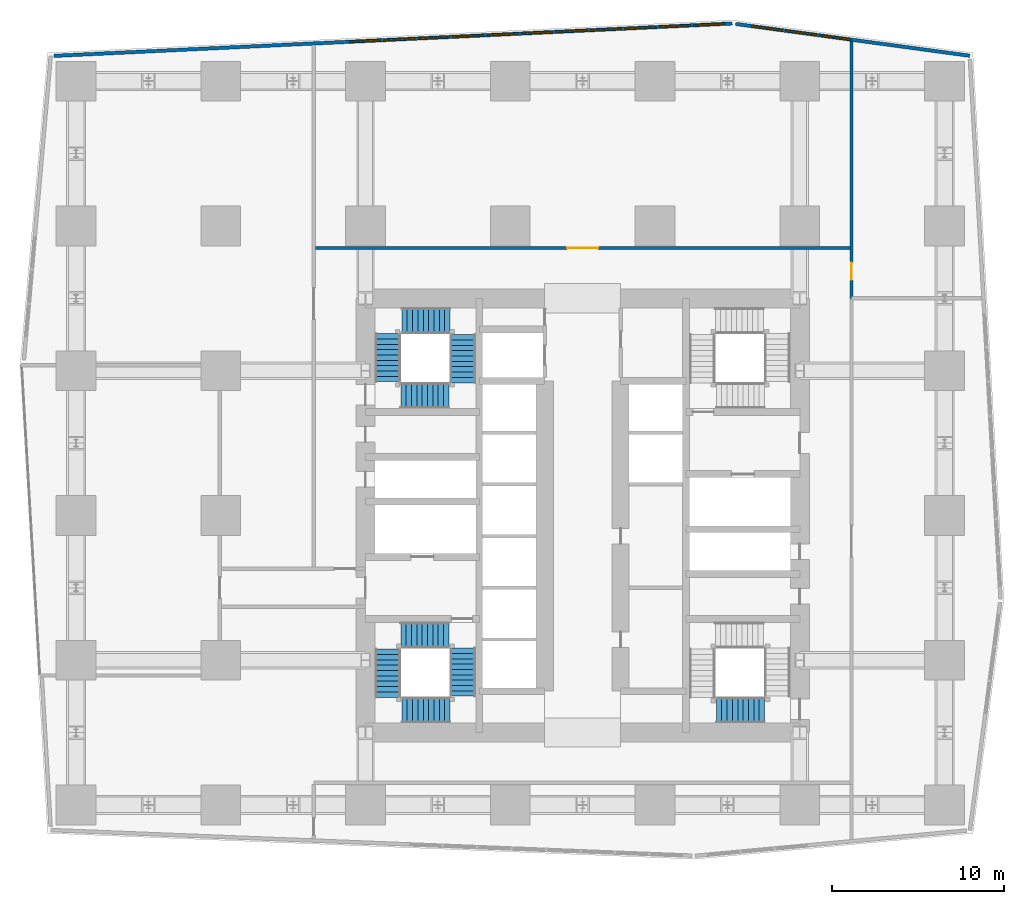
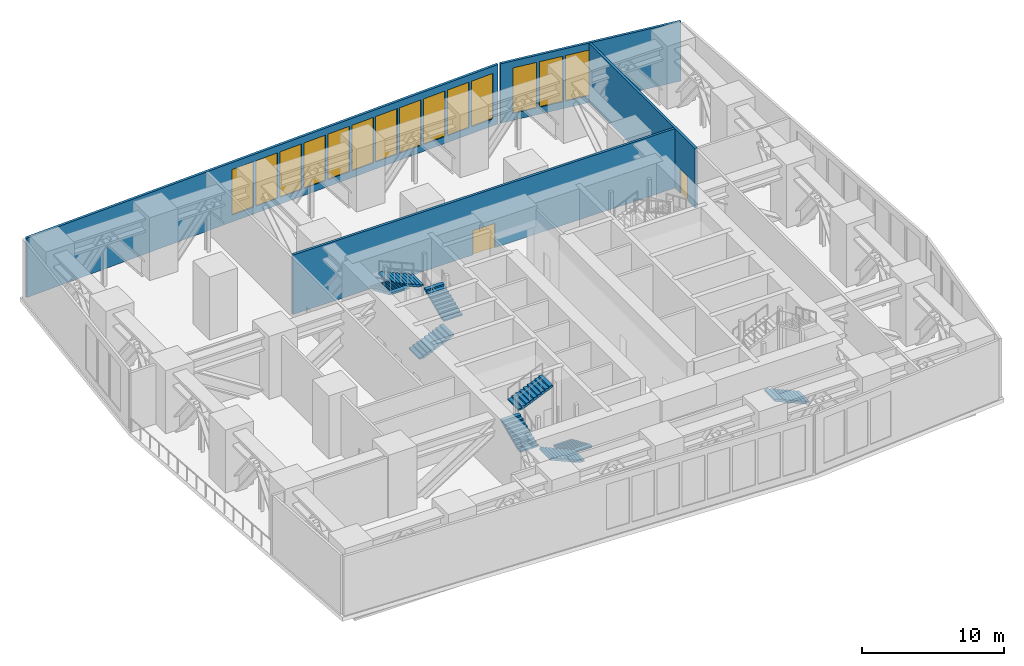
# One storey, part 11 of 16: 14 windows, 9 stair flights, 4 walls, 2 doors, 16 openings, 3 elements without a shape of their own.
"""IFC4 building model written with IfcOpenShell, lengths in metres."""

import ifcopenshell
import ifcopenshell.guid

model = None  # the IFC model being written
_history = None  # IfcOwnerHistory: only IFC2X3 demands one
_inside = {}  # id of a spatial element -> (the spatial element, [elements in it])
_under = {}  # id of a project, library or spatial element -> (it, [spatial elements below it])
_declared = {}  # id of a project -> (the project, [libraries it declares])
_typed = {}  # id of a type object -> (the type object, [elements of that type])
_made_of = {}  # id of a material, layer set ... -> (it, [elements and type objects made of it])


def new_model(schema):
    """Start an empty IFC model of exactly this schema.

    Asked for "IFC4X3", IfcOpenShell would pick the latest addendum, in which some entities
    have other attributes; the version numbers below select the first issue.
    IFC2X3 requires an IfcOwnerHistory on every rooted entity: one is made here for all.
    """
    global model, _history
    if schema == "IFC4X3":
        model = ifcopenshell.file(schema_version=(4, 3, 0, 0))
    else:
        model = ifcopenshell.file(schema=schema)
    _inside.clear()
    _under.clear()
    _declared.clear()
    _typed.clear()
    _made_of.clear()
    _history = None
    if model.schema == "IFC2X3":
        org = make("IfcOrganization", Name="unknown")
        user = make(
            "IfcPersonAndOrganization",
            ThePerson=make("IfcPerson", FamilyName="unknown"),
            TheOrganization=org,
        )
        app = make(
            "IfcApplication",
            ApplicationDeveloper=org,
            Version="unknown",
            ApplicationFullName="unknown",
            ApplicationIdentifier="unknown",
        )
        _history = make(
            "IfcOwnerHistory",
            OwningUser=user,
            OwningApplication=app,
            ChangeAction="ADDED",
            CreationDate=0,
        )
    return model


def make(cls, **values):
    """One entity of the class cls with the attributes given. An attribute that is None is left unset."""
    return model.create_entity(
        cls, **{name: value for name, value in values.items() if value is not None}
    )


def rooted(cls, **values):
    """An entity with a GlobalId (a new one), such as an element, a storey or a relation."""
    return make(cls, GlobalId=ifcopenshell.guid.new(), OwnerHistory=_history, **values)


def si_unit(unit_type, name, prefix=None):
    """IfcSIUnit, for example si_unit("LENGTHUNIT", "METRE", prefix="MILLI")."""
    return make("IfcSIUnit", UnitType=unit_type, Prefix=prefix, Name=name)


def assignment(units):
    """IfcUnitAssignment: the units of a project."""
    return None if units is None else make("IfcUnitAssignment", Units=units)


def point(xyz):
    """IfcCartesianPoint."""
    return None if xyz is None else make("IfcCartesianPoint", Coordinates=xyz)


def direction(xyz):
    """IfcDirection."""
    return None if xyz is None else make("IfcDirection", DirectionRatios=xyz)


def frame(location, z_axis=None, x_axis=None):
    """IfcAxis2Placement3D, a coordinate frame: its origin and axes. An axis left out is left unset."""
    return make(
        "IfcAxis2Placement3D",
        Location=point(location),
        Axis=direction(z_axis),
        RefDirection=direction(x_axis),
    )


def frame_2d(location, x_axis=None):
    """IfcAxis2Placement2D, a coordinate frame in the plane: its origin and x axis."""
    return make(
        "IfcAxis2Placement2D", Location=point(location), RefDirection=direction(x_axis)
    )


def origin():
    """The frame at (0, 0, 0) with its axes left unset."""
    return frame((0.0, 0.0, 0.0))


def place(relative_to, where):
    """IfcLocalPlacement: puts the frame where relative to a parent placement (None: the world)."""
    return make(
        "IfcLocalPlacement", PlacementRelTo=relative_to, RelativePlacement=where
    )


def context(
    kind, dimensions, precision=None, world=None, true_north=None, identifier=None
):
    """IfcGeometricRepresentationContext, for example the 3D "Model" context."""
    return make(
        "IfcGeometricRepresentationContext",
        ContextIdentifier=identifier,
        ContextType=kind,
        CoordinateSpaceDimension=dimensions,
        Precision=precision,
        WorldCoordinateSystem=world,
        TrueNorth=true_north,
    )


def subcontext(parent, identifier, kind, view, scale=None):
    """IfcGeometricRepresentationSubContext, for example "Body" below "Model"."""
    return make(
        "IfcGeometricRepresentationSubContext",
        ContextIdentifier=identifier,
        ContextType=kind,
        ParentContext=parent,
        TargetScale=scale,
        TargetView=view,
    )


def project(units=None, contexts=None):
    """IfcProject with its units and contexts."""
    return rooted(
        "IfcProject",
        Name="project",
        RepresentationContexts=contexts,
        UnitsInContext=assignment(units),
    )


def spatial(cls, under=None, at=None, **own):
    """A site, building, storey or space (cls), placed at a placement, below another one or the project."""
    s = rooted(cls, ObjectPlacement=at, **own)
    if under is not None:
        _under.setdefault(under.id(), (under, []))[1].append(s)
    return s


def polyline(points):
    """IfcPolyline through the points."""
    return make("IfcPolyline", Points=[point(p) for p in points])


def profile(cls, at=None, kind="AREA", **sizes):
    """A parametric profile (cls). Its sizes go by their IFC names, for example OverallWidth=200.0."""
    return make(cls, ProfileType=kind, Position=at, **sizes)


def rectangle(**sizes):
    """IfcRectangleProfileDef."""
    return profile("IfcRectangleProfileDef", **sizes)


def outline(outer, holes=None, kind="AREA"):
    """IfcArbitraryClosedProfileDef: a profile drawn as a closed curve; with holes, ...WithVoids."""
    if holes is None:
        return make("IfcArbitraryClosedProfileDef", ProfileType=kind, OuterCurve=outer)
    return make(
        "IfcArbitraryProfileDefWithVoids",
        ProfileType=kind,
        OuterCurve=outer,
        InnerCurves=holes,
    )


def extrude(swept, where, along, depth):
    """IfcExtrudedAreaSolid: the profile swept, set in the frame where, extruded along a direction by depth."""
    return make(
        "IfcExtrudedAreaSolid",
        SweptArea=swept,
        Position=where,
        ExtrudedDirection=direction(along),
        Depth=depth,
    )


def shape(context_of_items, identifier, shape_type, items):
    """IfcShapeRepresentation: the items that make up one representation, for example the "Body"."""
    return make(
        "IfcShapeRepresentation",
        ContextOfItems=context_of_items,
        RepresentationIdentifier=identifier,
        RepresentationType=shape_type,
        Items=items,
    )


def material(Name=None, Category=None):
    """IfcMaterial."""
    return make("IfcMaterial", Name=Name, Category=Category)


def layer(
    of_material, thickness, ventilated=None, Name=None, Category=None, Priority=None
):
    """IfcMaterialLayer: one layer of a wall or slab, of a material (None: an air gap)."""
    return make(
        "IfcMaterialLayer",
        Material=of_material,
        LayerThickness=thickness,
        IsVentilated=ventilated,
        Name=Name,
        Category=Category,
        Priority=Priority,
    )


def layer_set(layers, Name=None):
    """IfcMaterialLayerSet."""
    return make("IfcMaterialLayerSet", MaterialLayers=layers, LayerSetName=Name)


def made_of(thing, what):
    """Note that an element or type object is made of a material, layer set ...; save() writes the relation."""
    if what is not None:
        _made_of.setdefault(what.id(), (what, []))[1].append(thing)
    return thing


def type_object(cls, material=None, **own):
    """A type object (cls), such as IfcWallType, which elements share."""
    return made_of(rooted(cls, **own), material)


def element(
    cls,
    number,
    at=None,
    inside=None,
    cuts=None,
    type_object=None,
    material=None,
    context=None,
    identifier="Body",
    shape_type=None,
    held_by="IfcProductDefinitionShape",
    body=None,
    shapes=None,
    **own,
):
    """One element of the class cls, such as IfcWall. Its Tag is "e" and its number.

    at: its placement. inside: the storey or other place that contains it. cuts: it is an
    opening in that element (IfcRelVoidsElement). A single representation is given by context,
    identifier, shape_type and body (its items); several are given by shapes. held_by: the class
    of the entity that holds the representations. save() writes the other relations.
    """
    e = rooted(cls, Tag="e%d" % number, ObjectPlacement=at, **own)
    if body is not None:
        shapes = [shape(context, identifier, shape_type, body)]
    if shapes is not None:
        e.Representation = make(held_by, Representations=shapes)
    if inside is not None:
        _inside.setdefault(inside.id(), (inside, []))[1].append(e)
    if cuts is not None:
        rooted(
            "IfcRelVoidsElement", RelatingBuildingElement=cuts, RelatedOpeningElement=e
        )
    if type_object is not None:
        _typed.setdefault(type_object.id(), (type_object, []))[1].append(e)
    return made_of(e, material)


def fill(opening, filler):
    """IfcRelFillsElement: the door or window that sits in an opening."""
    return rooted(
        "IfcRelFillsElement",
        RelatingOpeningElement=opening,
        RelatedBuildingElement=filler,
    )


def aggregate(whole, parts):
    """IfcRelAggregates: a whole, such as a stair, and the parts it consists of."""
    return rooted("IfcRelAggregates", RelatingObject=whole, RelatedObjects=parts)


def save(model, path):
    """Write the relations noted so far, then the file.

    IfcRelAggregates (storeys below a building ...), IfcRelContainedInSpatialStructure (elements
    in a storey), IfcRelDefinesByType, IfcRelAssociatesMaterial and IfcRelDeclares: one each for
    every whole, place, type object, material and project.
    """
    for whole, parts in _under.values():
        aggregate(whole, parts)
    for where, things in _inside.values():
        rooted(
            "IfcRelContainedInSpatialStructure",
            RelatedElements=things,
            RelatingStructure=where,
        )
    for kind, things in _typed.values():
        rooted("IfcRelDefinesByType", RelatedObjects=things, RelatingType=kind)
    for what, things in _made_of.values():
        rooted("IfcRelAssociatesMaterial", RelatedObjects=things, RelatingMaterial=what)
    for by, libraries in _declared.values():
        rooted("IfcRelDeclares", RelatingContext=by, RelatedDefinitions=libraries)
    model.write(path)


model = new_model("IFC4")

# Units and contexts
model_context = context("Model", 3, precision=1e-05, world=origin(), true_north=direction((0.0, 1.0)))
body_context = subcontext(model_context, "Body", "Model", "MODEL_VIEW")
ifc_project = project(units=[si_unit("LENGTHUNIT", "METRE"), si_unit("AREAUNIT", "SQUARE_METRE"), si_unit("VOLUMEUNIT", "CUBIC_METRE"), si_unit("PLANEANGLEUNIT", "RADIAN"), si_unit("MASSUNIT", "GRAM", prefix="KILO")], contexts=[model_context])

# Site, building, storey
site_placement = place(None, origin())
site = spatial("IfcSite", under=ifc_project, at=site_placement, CompositionType="ELEMENT")
building_placement = place(site_placement, origin())
building = spatial("IfcBuilding", under=site, at=building_placement, Name="Rekha Terrace Tower", CompositionType="ELEMENT")
storey_placement = place(building_placement, frame((0.0, 0.0, 240.199951171875)))
storey = spatial("IfcBuildingStorey", under=building, at=storey_placement, Name="L61", CompositionType="ELEMENT", Elevation=240.199951171875)

# Wall, openings, windows
ifc_material_1 = material(Name="Aluminium cladding on steel stud wall", Category="steel")
ifc_layer_1 = layer(ifc_material_1, 0.199951171875)
ifc_layer_set_1 = layer_set([ifc_layer_1], Name="Aluminium cladding on steel stud wall")
wall_type_1 = type_object("IfcWallType", Name="EW1 plant floor louvre wall 200", PredefinedType="SOLIDWALL", material=ifc_layer_set_1)
wall_1_placement = place(storey_placement, frame((60.259765625, 60.274169921875, 0.0), z_axis=(0.0, 0.0, 1.0), x_axis=(-0.990869036183, 0.134827864827, 0.0)))
wall_1 = element("IfcWall", 1, at=wall_1_placement, inside=storey, type_object=wall_type_1, Name="Plant floor louvre wall", PredefinedType="SOLIDWALL", context=body_context, shape_type="SweptSolid", body=[
    extrude(rectangle(XDim=13.70751953125, YDim=0.199951171875, at=frame_2d((6.853759765625, 0.0))), origin(), (0.0, 0.0, 1.0), 5.10009765625),
])
opening_1_placement = place(wall_1_placement, frame((6.9736328125, 0.0, 0.60009765625)))
opening_1 = element("IfcOpeningElement", 2, at=opening_1_placement, cuts=wall_1, Name="Opening LV2", PredefinedType="OPENING", context=body_context, shape_type="SweptSolid", body=[
    extrude(rectangle(XDim=1.800048828125, YDim=3.89990234375, at=frame_2d((0.89990234375, 1.949951171875))), frame((0.0, 0.10986328125, 0.0), z_axis=(0.0, -1.0, 0.0), x_axis=(1.0, 0.0, 0.0)), (0.0, 0.0, 1.0), 0.219970703125),
])
opening_2_placement = place(wall_1_placement, frame((8.9736328125, 0.0, 0.60009765625)))
opening_2 = element("IfcOpeningElement", 3, at=opening_2_placement, cuts=wall_1, Name="Opening LV2", PredefinedType="OPENING", context=body_context, shape_type="SweptSolid", body=[
    extrude(rectangle(XDim=1.800048828125, YDim=3.89990234375, at=frame_2d((0.89990234375, 1.949951171875))), frame((0.0, 0.10986328125, 0.0), z_axis=(0.0, -1.0, 0.0), x_axis=(1.0, 0.0, 0.0)), (0.0, 0.0, 1.0), 0.219970703125),
])
opening_3_placement = place(wall_1_placement, frame((10.9736328125, 0.0, 0.60009765625)))
opening_3 = element("IfcOpeningElement", 4, at=opening_3_placement, cuts=wall_1, Name="Opening LV2", PredefinedType="OPENING", context=body_context, shape_type="SweptSolid", body=[
    extrude(rectangle(XDim=1.800048828125, YDim=3.89990234375, at=frame_2d((0.89990234375, 1.949951171875))), frame((0.0, 0.10986328125, 0.0), z_axis=(0.0, -1.0, 0.0), x_axis=(1.0, 0.0, 0.0)), (0.0, 0.0, 1.0), 0.219970703125),
])
ifc_material_2 = material(Name="Extruded aluminium weather louvre", Category="aluminium")
window_type = type_object("IfcWindowType", Name="LV2 plant louvre 1800", PartitioningType="SINGLE_PANEL", PredefinedType="USERDEFINED", material=ifc_material_2)
window_1_placement = place(opening_1_placement, origin())
window_1 = element("IfcWindow", 5, at=window_1_placement, inside=storey, type_object=window_type, Name="Plant louvre", ObjectType="LOUVRE", OverallHeight=3.89990234375, OverallWidth=1.800048828125, PartitioningType="SINGLE_PANEL", PredefinedType="USERDEFINED", context=body_context, shape_type="SweptSolid", body=[
    extrude(rectangle(XDim=1.800048828125, YDim=3.89990234375, at=frame_2d((0.89990234375, 1.949951171875))), frame((0.0, 0.030029296875, 0.0), z_axis=(0.0, -1.0, 0.0), x_axis=(1.0, 0.0, 0.0)), (0.0, 0.0, 1.0), 0.06005859375),
])
fill(opening_1, window_1)
window_2_placement = place(opening_2_placement, origin())
window_2 = element("IfcWindow", 6, at=window_2_placement, inside=storey, type_object=window_type, Name="Plant louvre", ObjectType="LOUVRE", OverallHeight=3.89990234375, OverallWidth=1.800048828125, PartitioningType="SINGLE_PANEL", PredefinedType="USERDEFINED", context=body_context, shape_type="SweptSolid", body=[
    extrude(rectangle(XDim=1.800048828125, YDim=3.89990234375, at=frame_2d((0.89990234375, 1.949951171875))), frame((0.0, 0.030029296875, 0.0), z_axis=(0.0, -1.0, 0.0), x_axis=(1.0, 0.0, 0.0)), (0.0, 0.0, 1.0), 0.06005859375),
])
fill(opening_2, window_2)
window_3_placement = place(opening_3_placement, origin())
window_3 = element("IfcWindow", 7, at=window_3_placement, inside=storey, type_object=window_type, Name="Plant louvre", ObjectType="LOUVRE", OverallHeight=3.89990234375, OverallWidth=1.800048828125, PartitioningType="SINGLE_PANEL", PredefinedType="USERDEFINED", context=body_context, shape_type="SweptSolid", body=[
    extrude(rectangle(XDim=1.800048828125, YDim=3.89990234375, at=frame_2d((0.89990234375, 1.949951171875))), frame((0.0, 0.030029296875, 0.0), z_axis=(0.0, -1.0, 0.0), x_axis=(1.0, 0.0, 0.0)), (0.0, 0.0, 1.0), 0.06005859375),
])
fill(opening_3, window_3)

wall_2_placement = place(storey_placement, frame((46.479248046875, 62.1494140625, 0.0), z_axis=(0.0, 0.0, 1.0), x_axis=(-0.998858779505, -0.047761266784, 0.0)))
wall_2 = element("IfcWall", 8, at=wall_2_placement, inside=storey, type_object=wall_type_1, Name="Plant floor louvre wall", PredefinedType="SOLIDWALL", context=body_context, shape_type="SweptSolid", body=[
    extrude(rectangle(XDim=39.390625, YDim=0.199951171875, at=frame_2d((19.6953125, 0.0))), origin(), (0.0, 0.0, 1.0), 5.10009765625),
])
opening_4_placement = place(wall_2_placement, frame((0.43505859375, 0.0, 0.60009765625)))
opening_4 = element("IfcOpeningElement", 9, at=opening_4_placement, cuts=wall_2, Name="Opening LV2", PredefinedType="OPENING", context=body_context, shape_type="SweptSolid", body=[
    extrude(rectangle(XDim=1.800048828125, YDim=3.89990234375, at=frame_2d((0.89990234375, 1.949951171875))), frame((0.0, 0.10986328125, 0.0), z_axis=(0.0, -1.0, 0.0), x_axis=(1.0, 0.0, 0.0)), (0.0, 0.0, 1.0), 0.219970703125),
])
opening_5_placement = place(wall_2_placement, frame((2.43505859375, 0.0, 0.60009765625)))
opening_5 = element("IfcOpeningElement", 10, at=opening_5_placement, cuts=wall_2, Name="Opening LV2", PredefinedType="OPENING", context=body_context, shape_type="SweptSolid", body=[
    extrude(rectangle(XDim=1.800048828125, YDim=3.89990234375, at=frame_2d((0.89990234375, 1.949951171875))), frame((0.0, 0.10986328125, 0.0), z_axis=(0.0, -1.0, 0.0), x_axis=(1.0, 0.0, 0.0)), (0.0, 0.0, 1.0), 0.219970703125),
])
opening_6_placement = place(wall_2_placement, frame((4.43505859375, 0.0, 0.60009765625)))
opening_6 = element("IfcOpeningElement", 11, at=opening_6_placement, cuts=wall_2, Name="Opening LV2", PredefinedType="OPENING", context=body_context, shape_type="SweptSolid", body=[
    extrude(rectangle(XDim=1.800048828125, YDim=3.89990234375, at=frame_2d((0.89990234375, 1.949951171875))), frame((0.0, 0.10986328125, 0.0), z_axis=(0.0, -1.0, 0.0), x_axis=(1.0, 0.0, 0.0)), (0.0, 0.0, 1.0), 0.219970703125),
])
opening_7_placement = place(wall_2_placement, frame((6.43505859375, 0.0, 0.60009765625)))
opening_7 = element("IfcOpeningElement", 12, at=opening_7_placement, cuts=wall_2, Name="Opening LV2", PredefinedType="OPENING", context=body_context, shape_type="SweptSolid", body=[
    extrude(rectangle(XDim=1.800048828125, YDim=3.89990234375, at=frame_2d((0.89990234375, 1.949951171875))), frame((0.0, 0.10986328125, 0.0), z_axis=(0.0, -1.0, 0.0), x_axis=(1.0, 0.0, 0.0)), (0.0, 0.0, 1.0), 0.219970703125),
])
opening_8_placement = place(wall_2_placement, frame((8.43505859375, 0.0, 0.60009765625)))
opening_8 = element("IfcOpeningElement", 13, at=opening_8_placement, cuts=wall_2, Name="Opening LV2", PredefinedType="OPENING", context=body_context, shape_type="SweptSolid", body=[
    extrude(rectangle(XDim=1.800048828125, YDim=3.89990234375, at=frame_2d((0.89990234375, 1.949951171875))), frame((0.0, 0.10986328125, 0.0), z_axis=(0.0, -1.0, 0.0), x_axis=(1.0, 0.0, 0.0)), (0.0, 0.0, 1.0), 0.219970703125),
])
opening_9_placement = place(wall_2_placement, frame((10.43505859375, 0.0, 0.60009765625)))
opening_9 = element("IfcOpeningElement", 14, at=opening_9_placement, cuts=wall_2, Name="Opening LV2", PredefinedType="OPENING", context=body_context, shape_type="SweptSolid", body=[
    extrude(rectangle(XDim=1.800048828125, YDim=3.89990234375, at=frame_2d((0.89990234375, 1.949951171875))), frame((0.0, 0.10986328125, 0.0), z_axis=(0.0, -1.0, 0.0), x_axis=(1.0, 0.0, 0.0)), (0.0, 0.0, 1.0), 0.219970703125),
])
opening_10_placement = place(wall_2_placement, frame((12.43505859375, 0.0, 0.60009765625)))
opening_10 = element("IfcOpeningElement", 15, at=opening_10_placement, cuts=wall_2, Name="Opening LV2", PredefinedType="OPENING", context=body_context, shape_type="SweptSolid", body=[
    extrude(rectangle(XDim=1.800048828125, YDim=3.89990234375, at=frame_2d((0.89990234375, 1.949951171875))), frame((0.0, 0.10986328125, 0.0), z_axis=(0.0, -1.0, 0.0), x_axis=(1.0, 0.0, 0.0)), (0.0, 0.0, 1.0), 0.219970703125),
])
opening_11_placement = place(wall_2_placement, frame((14.43505859375, 0.0, 0.60009765625)))
opening_11 = element("IfcOpeningElement", 16, at=opening_11_placement, cuts=wall_2, Name="Opening LV2", PredefinedType="OPENING", context=body_context, shape_type="SweptSolid", body=[
    extrude(rectangle(XDim=1.800048828125, YDim=3.89990234375, at=frame_2d((0.89990234375, 1.949951171875))), frame((0.0, 0.10986328125, 0.0), z_axis=(0.0, -1.0, 0.0), x_axis=(1.0, 0.0, 0.0)), (0.0, 0.0, 1.0), 0.219970703125),
])
opening_12_placement = place(wall_2_placement, frame((16.43505859375, 0.0, 0.60009765625)))
opening_12 = element("IfcOpeningElement", 17, at=opening_12_placement, cuts=wall_2, Name="Opening LV2", PredefinedType="OPENING", context=body_context, shape_type="SweptSolid", body=[
    extrude(rectangle(XDim=1.800048828125, YDim=3.89990234375, at=frame_2d((0.89990234375, 1.949951171875))), frame((0.0, 0.10986328125, 0.0), z_axis=(0.0, -1.0, 0.0), x_axis=(1.0, 0.0, 0.0)), (0.0, 0.0, 1.0), 0.219970703125),
])
opening_13_placement = place(wall_2_placement, frame((18.43505859375, 0.0, 0.60009765625)))
opening_13 = element("IfcOpeningElement", 18, at=opening_13_placement, cuts=wall_2, Name="Opening LV2", PredefinedType="OPENING", context=body_context, shape_type="SweptSolid", body=[
    extrude(rectangle(XDim=1.800048828125, YDim=3.89990234375, at=frame_2d((0.89990234375, 1.949951171875))), frame((0.0, 0.10986328125, 0.0), z_axis=(0.0, -1.0, 0.0), x_axis=(1.0, 0.0, 0.0)), (0.0, 0.0, 1.0), 0.219970703125),
])
opening_14_placement = place(wall_2_placement, frame((20.43505859375, 0.0, 0.60009765625)))
opening_14 = element("IfcOpeningElement", 19, at=opening_14_placement, cuts=wall_2, Name="Opening LV2", PredefinedType="OPENING", context=body_context, shape_type="SweptSolid", body=[
    extrude(rectangle(XDim=1.800048828125, YDim=3.89990234375, at=frame_2d((0.89990234375, 1.949951171875))), frame((0.0, 0.10986328125, 0.0), z_axis=(0.0, -1.0, 0.0), x_axis=(1.0, 0.0, 0.0)), (0.0, 0.0, 1.0), 0.219970703125),
])
window_4_placement = place(opening_4_placement, origin())
window_4 = element("IfcWindow", 20, at=window_4_placement, inside=storey, type_object=window_type, Name="Plant louvre", ObjectType="LOUVRE", OverallHeight=3.89990234375, OverallWidth=1.800048828125, PartitioningType="SINGLE_PANEL", PredefinedType="USERDEFINED", context=body_context, shape_type="SweptSolid", body=[
    extrude(rectangle(XDim=1.800048828125, YDim=3.89990234375, at=frame_2d((0.89990234375, 1.949951171875))), frame((0.0, 0.030029296875, 0.0), z_axis=(0.0, -1.0, 0.0), x_axis=(1.0, 0.0, 0.0)), (0.0, 0.0, 1.0), 0.06005859375),
])
fill(opening_4, window_4)
window_5_placement = place(opening_5_placement, origin())
window_5 = element("IfcWindow", 21, at=window_5_placement, inside=storey, type_object=window_type, Name="Plant louvre", ObjectType="LOUVRE", OverallHeight=3.89990234375, OverallWidth=1.800048828125, PartitioningType="SINGLE_PANEL", PredefinedType="USERDEFINED", context=body_context, shape_type="SweptSolid", body=[
    extrude(rectangle(XDim=1.800048828125, YDim=3.89990234375, at=frame_2d((0.89990234375, 1.949951171875))), frame((0.0, 0.030029296875, 0.0), z_axis=(0.0, -1.0, 0.0), x_axis=(1.0, 0.0, 0.0)), (0.0, 0.0, 1.0), 0.06005859375),
])
fill(opening_5, window_5)
window_6_placement = place(opening_6_placement, origin())
window_6 = element("IfcWindow", 22, at=window_6_placement, inside=storey, type_object=window_type, Name="Plant louvre", ObjectType="LOUVRE", OverallHeight=3.89990234375, OverallWidth=1.800048828125, PartitioningType="SINGLE_PANEL", PredefinedType="USERDEFINED", context=body_context, shape_type="SweptSolid", body=[
    extrude(rectangle(XDim=1.800048828125, YDim=3.89990234375, at=frame_2d((0.89990234375, 1.949951171875))), frame((0.0, 0.030029296875, 0.0), z_axis=(0.0, -1.0, 0.0), x_axis=(1.0, 0.0, 0.0)), (0.0, 0.0, 1.0), 0.06005859375),
])
fill(opening_6, window_6)
window_7_placement = place(opening_7_placement, origin())
window_7 = element("IfcWindow", 23, at=window_7_placement, inside=storey, type_object=window_type, Name="Plant louvre", ObjectType="LOUVRE", OverallHeight=3.89990234375, OverallWidth=1.800048828125, PartitioningType="SINGLE_PANEL", PredefinedType="USERDEFINED", context=body_context, shape_type="SweptSolid", body=[
    extrude(rectangle(XDim=1.800048828125, YDim=3.89990234375, at=frame_2d((0.89990234375, 1.949951171875))), frame((0.0, 0.030029296875, 0.0), z_axis=(0.0, -1.0, 0.0), x_axis=(1.0, 0.0, 0.0)), (0.0, 0.0, 1.0), 0.06005859375),
])
fill(opening_7, window_7)
window_8_placement = place(opening_8_placement, origin())
window_8 = element("IfcWindow", 24, at=window_8_placement, inside=storey, type_object=window_type, Name="Plant louvre", ObjectType="LOUVRE", OverallHeight=3.89990234375, OverallWidth=1.800048828125, PartitioningType="SINGLE_PANEL", PredefinedType="USERDEFINED", context=body_context, shape_type="SweptSolid", body=[
    extrude(rectangle(XDim=1.800048828125, YDim=3.89990234375, at=frame_2d((0.89990234375, 1.949951171875))), frame((0.0, 0.030029296875, 0.0), z_axis=(0.0, -1.0, 0.0), x_axis=(1.0, 0.0, 0.0)), (0.0, 0.0, 1.0), 0.06005859375),
])
fill(opening_8, window_8)
window_9_placement = place(opening_9_placement, origin())
window_9 = element("IfcWindow", 25, at=window_9_placement, inside=storey, type_object=window_type, Name="Plant louvre", ObjectType="LOUVRE", OverallHeight=3.89990234375, OverallWidth=1.800048828125, PartitioningType="SINGLE_PANEL", PredefinedType="USERDEFINED", context=body_context, shape_type="SweptSolid", body=[
    extrude(rectangle(XDim=1.800048828125, YDim=3.89990234375, at=frame_2d((0.89990234375, 1.949951171875))), frame((0.0, 0.030029296875, 0.0), z_axis=(0.0, -1.0, 0.0), x_axis=(1.0, 0.0, 0.0)), (0.0, 0.0, 1.0), 0.06005859375),
])
fill(opening_9, window_9)
window_10_placement = place(opening_10_placement, origin())
window_10 = element("IfcWindow", 26, at=window_10_placement, inside=storey, type_object=window_type, Name="Plant louvre", ObjectType="LOUVRE", OverallHeight=3.89990234375, OverallWidth=1.800048828125, PartitioningType="SINGLE_PANEL", PredefinedType="USERDEFINED", context=body_context, shape_type="SweptSolid", body=[
    extrude(rectangle(XDim=1.800048828125, YDim=3.89990234375, at=frame_2d((0.89990234375, 1.949951171875))), frame((0.0, 0.030029296875, 0.0), z_axis=(0.0, -1.0, 0.0), x_axis=(1.0, 0.0, 0.0)), (0.0, 0.0, 1.0), 0.06005859375),
])
fill(opening_10, window_10)
window_11_placement = place(opening_11_placement, origin())
window_11 = element("IfcWindow", 27, at=window_11_placement, inside=storey, type_object=window_type, Name="Plant louvre", ObjectType="LOUVRE", OverallHeight=3.89990234375, OverallWidth=1.800048828125, PartitioningType="SINGLE_PANEL", PredefinedType="USERDEFINED", context=body_context, shape_type="SweptSolid", body=[
    extrude(rectangle(XDim=1.800048828125, YDim=3.89990234375, at=frame_2d((0.89990234375, 1.949951171875))), frame((0.0, 0.030029296875, 0.0), z_axis=(0.0, -1.0, 0.0), x_axis=(1.0, 0.0, 0.0)), (0.0, 0.0, 1.0), 0.06005859375),
])
fill(opening_11, window_11)
window_12_placement = place(opening_12_placement, origin())
window_12 = element("IfcWindow", 28, at=window_12_placement, inside=storey, type_object=window_type, Name="Plant louvre", ObjectType="LOUVRE", OverallHeight=3.89990234375, OverallWidth=1.800048828125, PartitioningType="SINGLE_PANEL", PredefinedType="USERDEFINED", context=body_context, shape_type="SweptSolid", body=[
    extrude(rectangle(XDim=1.800048828125, YDim=3.89990234375, at=frame_2d((0.89990234375, 1.949951171875))), frame((0.0, 0.030029296875, 0.0), z_axis=(0.0, -1.0, 0.0), x_axis=(1.0, 0.0, 0.0)), (0.0, 0.0, 1.0), 0.06005859375),
])
fill(opening_12, window_12)
window_13_placement = place(opening_13_placement, origin())
window_13 = element("IfcWindow", 29, at=window_13_placement, inside=storey, type_object=window_type, Name="Plant louvre", ObjectType="LOUVRE", OverallHeight=3.89990234375, OverallWidth=1.800048828125, PartitioningType="SINGLE_PANEL", PredefinedType="USERDEFINED", context=body_context, shape_type="SweptSolid", body=[
    extrude(rectangle(XDim=1.800048828125, YDim=3.89990234375, at=frame_2d((0.89990234375, 1.949951171875))), frame((0.0, 0.030029296875, 0.0), z_axis=(0.0, -1.0, 0.0), x_axis=(1.0, 0.0, 0.0)), (0.0, 0.0, 1.0), 0.06005859375),
])
fill(opening_13, window_13)
window_14_placement = place(opening_14_placement, origin())
window_14 = element("IfcWindow", 30, at=window_14_placement, inside=storey, type_object=window_type, Name="Plant louvre", ObjectType="LOUVRE", OverallHeight=3.89990234375, OverallWidth=1.800048828125, PartitioningType="SINGLE_PANEL", PredefinedType="USERDEFINED", context=body_context, shape_type="SweptSolid", body=[
    extrude(rectangle(XDim=1.800048828125, YDim=3.89990234375, at=frame_2d((0.89990234375, 1.949951171875))), frame((0.0, 0.030029296875, 0.0), z_axis=(0.0, -1.0, 0.0), x_axis=(1.0, 0.0, 0.0)), (0.0, 0.0, 1.0), 0.06005859375),
])
fill(opening_14, window_14)

# Wall, opening, door
ifc_material_3 = material(Name="Solid concrete block masonry, 2 hour", Category="masonry")
ifc_layer_2 = layer(ifc_material_3, 0.199951171875)
ifc_layer_set_2 = layer_set([ifc_layer_2], Name="Solid concrete block masonry, 2 hour")
wall_type_2 = type_object("IfcWallType", Name="WP1 200 plant room wall", PredefinedType="PARTITIONING", material=ifc_layer_set_2)
wall_3_placement = place(storey_placement, frame((53.39990234375, 46.199951171875, 0.0), z_axis=(0.0, 0.0, 1.0), x_axis=(0.0, 1.0, 0.0)))
wall_3 = element("IfcWall", 31, at=wall_3_placement, inside=storey, type_object=wall_type_2, Name="Partition L61-07", PredefinedType="PARTITIONING", context=body_context, shape_type="SweptSolid", body=[
    extrude(rectangle(XDim=14.906982421875, YDim=0.199951171875, at=frame_2d((7.45361328125, 0.0))), origin(), (0.0, 0.0, 1.0), 5.10009765625),
])
opening_15_placement = place(wall_3_placement, frame((1.074951171875, 0.0, 0.0)))
opening_15 = element("IfcOpeningElement", 32, at=opening_15_placement, cuts=wall_3, Name="Opening D9", PredefinedType="OPENING", context=body_context, shape_type="SweptSolid", body=[
    extrude(rectangle(XDim=1.0, YDim=2.10009765625, at=frame_2d((0.5, 1.050048828125))), frame((0.0, 0.10986328125, 0.0), z_axis=(0.0, -1.0, 0.0), x_axis=(1.0, 0.0, 0.0)), (0.0, 0.0, 1.0), 0.219970703125),
])
ifc_material_4 = material(Name="Timber fire door", Category="wood")
door_type_1 = type_object("IfcDoorType", Name="D9 1000x2100 office door", OperationType="SINGLE_SWING_LEFT", PredefinedType="DOOR", material=ifc_material_4)
door_1_placement = place(opening_15_placement, origin())
door_1 = element("IfcDoor", 33, at=door_1_placement, inside=storey, type_object=door_type_1, Name="Door transformer room L61", OperationType="SINGLE_SWING_LEFT", OverallHeight=2.10009765625, OverallWidth=1.0, PredefinedType="DOOR", context=body_context, shape_type="SweptSolid", body=[
    extrude(rectangle(XDim=1.0, YDim=2.10009765625, at=frame_2d((0.5, 1.050048828125))), frame((0.0, 0.02490234375, 0.0), z_axis=(0.0, -1.0, 0.0), x_axis=(1.0, 0.0, 0.0)), (0.0, 0.0, 1.0), 0.050048828125),
])
fill(opening_15, door_1)

wall_4_placement = place(storey_placement, frame((53.300048828125, 49.1201171875, 0.0), z_axis=(0.0, 0.0, 1.0), x_axis=(-1.0, 0.0, 0.0)))
wall_4 = element("IfcWall", 34, at=wall_4_placement, inside=storey, type_object=wall_type_2, Name="Partition L61-05", PredefinedType="PARTITIONING", context=body_context, shape_type="SweptSolid", body=[
    extrude(rectangle(XDim=31.0, YDim=0.199951171875, at=frame_2d((15.5, 0.0))), origin(), (0.0, 0.0, 1.0), 5.10009765625),
])
opening_16_placement = place(wall_4_placement, frame((14.60009765625, 0.0, 0.0)))
opening_16 = element("IfcOpeningElement", 35, at=opening_16_placement, cuts=wall_4, Name="Opening D6", PredefinedType="OPENING", context=body_context, shape_type="SweptSolid", body=[
    extrude(rectangle(XDim=1.800048828125, YDim=2.10009765625, at=frame_2d((0.89990234375, 1.050048828125))), frame((0.0, 0.10986328125, 0.0), z_axis=(0.0, -1.0, 0.0), x_axis=(1.0, 0.0, 0.0)), (0.0, 0.0, 1.0), 0.219970703125),
])
ifc_material_5 = material(Name="Steel fire door", Category="steel")
door_type_2 = type_object("IfcDoorType", Name="D6 1800x2100 plant room double door", OperationType="DOUBLE_DOOR_SINGLE_SWING", PredefinedType="DOOR", material=ifc_material_5)
door_2_placement = place(opening_16_placement, origin())
door_2 = element("IfcDoor", 36, at=door_2_placement, inside=storey, type_object=door_type_2, Name="Door water tank room L61", OperationType="DOUBLE_DOOR_SINGLE_SWING", OverallHeight=2.10009765625, OverallWidth=1.800048828125, PredefinedType="DOOR", context=body_context, shape_type="SweptSolid", body=[
    extrude(rectangle(XDim=1.800048828125, YDim=2.10009765625, at=frame_2d((0.89990234375, 1.050048828125))), frame((0.0, 0.02490234375, 0.0), z_axis=(0.0, -1.0, 0.0), x_axis=(1.0, 0.0, 0.0)), (0.0, 0.0, 1.0), 0.050048828125),
])
fill(opening_16, door_2)

# Stair, stair flights
ifc_material_6 = material(Name="Concrete M40", Category="concrete")
stair_type = type_object("IfcStairType", Name="ST40 stair, 40 risers of 135, going 310, 1500 wide flights, 4 flights", PredefinedType="QUARTER_TURN_STAIR", material=ifc_material_6)
stair_1_placement = place(storey_placement, origin())
stair_1 = element("IfcStair", 37, at=stair_1_placement, inside=storey, type_object=stair_type, Name="Stair ST1 L61 to L62", PredefinedType="QUARTER_TURN_STAIR")
stair_flight_type = type_object("IfcStairFlightType", Name="SF10 stair flight, 10 risers of 135, going 310, 1500 wide", PredefinedType="STRAIGHT", material=ifc_material_6)
stair_flight_1_placement = place(storey_placement, frame((30.85009765625, 25.89990234375, 0.0), z_axis=(0.0, 0.0, 1.0), x_axis=(0.0, -1.0, 0.0)))
stair_flight_1 = element("IfcStairFlight", 38, at=stair_flight_1_placement, type_object=stair_flight_type, Name="ST1 flight 1", NumberOfRisers=10, NumberOfTreads=9, PredefinedType="STRAIGHT", RiserHeight=0.135, TreadLength=0.31, context=body_context, shape_type="SweptSolid", body=[
    extrude(outline(polyline([(0.0, 0.0), (0.0, 0.135009765625), (0.31005859375, 0.135009765625), (0.31005859375, 0.27001953125), (0.6201171875, 0.27001953125), (0.6201171875, 0.405029296875), (0.929931640625, 0.405029296875), (0.929931640625, 0.5400390625), (1.239990234375, 0.5400390625), (1.239990234375, 0.675048828125), (1.550048828125, 0.675048828125), (1.550048828125, 0.81005859375), (1.860107421875, 0.81005859375), (1.860107421875, 0.945068359375), (2.169921875, 0.945068359375), (2.169921875, 1.080078125), (2.47998046875, 1.080078125), (2.47998046875, 1.215087890625), (2.7900390625, 1.215087890625), (2.7900390625, 1.35009765625), (2.7900390625, 1.051513671875), (0.37548828125, 0.0), (0.0, 0.0)])), frame((0.0, 0.75, 0.0), z_axis=(0.0, -1.0, 0.0), x_axis=(1.0, 0.0, 0.0)), (0.0, 0.0, 1.0), 1.5),
])
stair_flight_2_placement = place(storey_placement, frame((30.10009765625, 22.300048828125, 1.35009765625), z_axis=(0.0, 0.0, 1.0), x_axis=(-1.0, 0.0, 0.0)))
stair_flight_2 = element("IfcStairFlight", 39, at=stair_flight_2_placement, type_object=stair_flight_type, Name="ST1 flight 2", NumberOfRisers=10, NumberOfTreads=9, PredefinedType="STRAIGHT", RiserHeight=0.135, TreadLength=0.31, context=body_context, shape_type="SweptSolid", body=[
    extrude(outline(polyline([(0.0, 0.0), (0.0, 0.135009765625), (0.31005859375, 0.135009765625), (0.31005859375, 0.27001953125), (0.6201171875, 0.27001953125), (0.6201171875, 0.405029296875), (0.929931640625, 0.405029296875), (0.929931640625, 0.5400390625), (1.239990234375, 0.5400390625), (1.239990234375, 0.675048828125), (1.550048828125, 0.675048828125), (1.550048828125, 0.81005859375), (1.860107421875, 0.81005859375), (1.860107421875, 0.945068359375), (2.169921875, 0.945068359375), (2.169921875, 1.080078125), (2.47998046875, 1.080078125), (2.47998046875, 1.215087890625), (2.7900390625, 1.215087890625), (2.7900390625, 1.35009765625), (2.7900390625, 1.051513671875), (0.37548828125, 0.0), (0.0, 0.0)])), frame((0.0, 0.75, 0.0), z_axis=(0.0, -1.0, 0.0), x_axis=(1.0, 0.0, 0.0)), (0.0, 0.0, 1.0), 1.5),
])
stair_flight_3_placement = place(storey_placement, frame((26.5, 23.050048828125, 2.699951171875), z_axis=(0.0, 0.0, 1.0), x_axis=(0.0, 1.0, 0.0)))
stair_flight_3 = element("IfcStairFlight", 40, at=stair_flight_3_placement, type_object=stair_flight_type, Name="ST1 flight 3", NumberOfRisers=10, NumberOfTreads=9, PredefinedType="STRAIGHT", RiserHeight=0.135, TreadLength=0.31, context=body_context, shape_type="SweptSolid", body=[
    extrude(outline(polyline([(0.0, 0.0), (0.0, 0.135009765625), (0.31005859375, 0.135009765625), (0.31005859375, 0.27001953125), (0.6201171875, 0.27001953125), (0.6201171875, 0.405029296875), (0.929931640625, 0.405029296875), (0.929931640625, 0.5400390625), (1.239990234375, 0.5400390625), (1.239990234375, 0.675048828125), (1.550048828125, 0.675048828125), (1.550048828125, 0.81005859375), (1.860107421875, 0.81005859375), (1.860107421875, 0.945068359375), (2.169921875, 0.945068359375), (2.169921875, 1.080078125), (2.47998046875, 1.080078125), (2.47998046875, 1.215087890625), (2.7900390625, 1.215087890625), (2.7900390625, 1.35009765625), (2.7900390625, 1.051513671875), (0.37548828125, 0.0), (0.0, 0.0)])), frame((0.0, 0.75, 0.0), z_axis=(0.0, -1.0, 0.0), x_axis=(1.0, 0.0, 0.0)), (0.0, 0.0, 1.0), 1.5),
])
stair_flight_4_placement = place(storey_placement, frame((27.25, 26.64990234375, 4.050048828125), z_axis=(0.0, 0.0, 1.0), x_axis=(1.0, 0.0, 0.0)))
stair_flight_4 = element("IfcStairFlight", 41, at=stair_flight_4_placement, type_object=stair_flight_type, Name="ST1 flight 4", NumberOfRisers=10, NumberOfTreads=9, PredefinedType="STRAIGHT", RiserHeight=0.135, TreadLength=0.31, context=body_context, shape_type="SweptSolid", body=[
    extrude(outline(polyline([(0.0, 0.0), (0.0, 0.135009765625), (0.31005859375, 0.135009765625), (0.31005859375, 0.27001953125), (0.6201171875, 0.27001953125), (0.6201171875, 0.405029296875), (0.929931640625, 0.405029296875), (0.929931640625, 0.5400390625), (1.239990234375, 0.5400390625), (1.239990234375, 0.675048828125), (1.550048828125, 0.675048828125), (1.550048828125, 0.81005859375), (1.860107421875, 0.81005859375), (1.860107421875, 0.945068359375), (2.169921875, 0.945068359375), (2.169921875, 1.080078125), (2.47998046875, 1.080078125), (2.47998046875, 1.215087890625), (2.7900390625, 1.215087890625), (2.7900390625, 1.35009765625), (2.7900390625, 1.051513671875), (0.37548828125, 0.0), (0.0, 0.0)])), frame((0.0, 0.75, 0.0), z_axis=(0.0, -1.0, 0.0), x_axis=(1.0, 0.0, 0.0)), (0.0, 0.0, 1.0), 1.5),
])
aggregate(stair_1, [stair_flight_1, stair_flight_2, stair_flight_3, stair_flight_4])

# Stair, stair flight
stair_2_placement = place(storey_placement, origin())
stair_2 = element("IfcStair", 42, at=stair_2_placement, inside=storey, type_object=stair_type, Name="Stair ST3 L61 to L62", PredefinedType="QUARTER_TURN_STAIR")
stair_flight_5_placement = place(storey_placement, frame((48.35009765625, 22.300048828125, 0.0), z_axis=(0.0, 0.0, 1.0), x_axis=(-1.0, 0.0, 0.0)))
stair_flight_5 = element("IfcStairFlight", 43, at=stair_flight_5_placement, type_object=stair_flight_type, Name="ST3 flight 1", NumberOfRisers=10, NumberOfTreads=9, PredefinedType="STRAIGHT", RiserHeight=0.135, TreadLength=0.31, context=body_context, shape_type="SweptSolid", body=[
    extrude(outline(polyline([(0.0, 0.0), (0.0, 0.135009765625), (0.31005859375, 0.135009765625), (0.31005859375, 0.27001953125), (0.6201171875, 0.27001953125), (0.6201171875, 0.405029296875), (0.929931640625, 0.405029296875), (0.929931640625, 0.5400390625), (1.239990234375, 0.5400390625), (1.239990234375, 0.675048828125), (1.550048828125, 0.675048828125), (1.550048828125, 0.81005859375), (1.860107421875, 0.81005859375), (1.860107421875, 0.945068359375), (2.169921875, 0.945068359375), (2.169921875, 1.080078125), (2.47998046875, 1.080078125), (2.47998046875, 1.215087890625), (2.7900390625, 1.215087890625), (2.7900390625, 1.35009765625), (2.7900390625, 1.051513671875), (0.37548828125, 0.0), (0.0, 0.0)])), frame((0.0, 0.75, 0.0), z_axis=(0.0, -1.0, 0.0), x_axis=(1.0, 0.0, 0.0)), (0.0, 0.0, 1.0), 1.5),
])
aggregate(stair_2, [stair_flight_5])

# Stair, stair flights
stair_3_placement = place(storey_placement, origin())
stair_3 = element("IfcStair", 44, at=stair_3_placement, inside=storey, type_object=stair_type, Name="Stair ST4 L61 to L62", PredefinedType="QUARTER_TURN_STAIR")
stair_flight_6_placement = place(storey_placement, frame((27.25, 40.550048828125, 0.0), z_axis=(0.0, 0.0, 1.0), x_axis=(1.0, 0.0, 0.0)))
stair_flight_6 = element("IfcStairFlight", 45, at=stair_flight_6_placement, type_object=stair_flight_type, Name="ST4 flight 1", NumberOfRisers=10, NumberOfTreads=9, PredefinedType="STRAIGHT", RiserHeight=0.135, TreadLength=0.31, context=body_context, shape_type="SweptSolid", body=[
    extrude(outline(polyline([(0.0, 0.0), (0.0, 0.135009765625), (0.31005859375, 0.135009765625), (0.31005859375, 0.27001953125), (0.6201171875, 0.27001953125), (0.6201171875, 0.405029296875), (0.929931640625, 0.405029296875), (0.929931640625, 0.5400390625), (1.239990234375, 0.5400390625), (1.239990234375, 0.675048828125), (1.550048828125, 0.675048828125), (1.550048828125, 0.81005859375), (1.860107421875, 0.81005859375), (1.860107421875, 0.945068359375), (2.169921875, 0.945068359375), (2.169921875, 1.080078125), (2.47998046875, 1.080078125), (2.47998046875, 1.215087890625), (2.7900390625, 1.215087890625), (2.7900390625, 1.35009765625), (2.7900390625, 1.051513671875), (0.37548828125, 0.0), (0.0, 0.0)])), frame((0.0, 0.75, 0.0), z_axis=(0.0, -1.0, 0.0), x_axis=(1.0, 0.0, 0.0)), (0.0, 0.0, 1.0), 1.5),
])
stair_flight_7_placement = place(storey_placement, frame((30.85009765625, 41.300048828125, 1.35009765625), z_axis=(0.0, 0.0, 1.0), x_axis=(0.0, 1.0, 0.0)))
stair_flight_7 = element("IfcStairFlight", 46, at=stair_flight_7_placement, type_object=stair_flight_type, Name="ST4 flight 2", NumberOfRisers=10, NumberOfTreads=9, PredefinedType="STRAIGHT", RiserHeight=0.135, TreadLength=0.31, context=body_context, shape_type="SweptSolid", body=[
    extrude(outline(polyline([(0.0, 0.0), (0.0, 0.135009765625), (0.31005859375, 0.135009765625), (0.31005859375, 0.27001953125), (0.6201171875, 0.27001953125), (0.6201171875, 0.405029296875), (0.929931640625, 0.405029296875), (0.929931640625, 0.5400390625), (1.239990234375, 0.5400390625), (1.239990234375, 0.675048828125), (1.550048828125, 0.675048828125), (1.550048828125, 0.81005859375), (1.860107421875, 0.81005859375), (1.860107421875, 0.945068359375), (2.169921875, 0.945068359375), (2.169921875, 1.080078125), (2.47998046875, 1.080078125), (2.47998046875, 1.215087890625), (2.7900390625, 1.215087890625), (2.7900390625, 1.35009765625), (2.7900390625, 1.051513671875), (0.37548828125, 0.0), (0.0, 0.0)])), frame((0.0, 0.75, 0.0), z_axis=(0.0, -1.0, 0.0), x_axis=(1.0, 0.0, 0.0)), (0.0, 0.0, 1.0), 1.5),
])
stair_flight_8_placement = place(storey_placement, frame((30.10009765625, 44.89990234375, 2.699951171875), z_axis=(0.0, 0.0, 1.0), x_axis=(-1.0, 0.0, 0.0)))
stair_flight_8 = element("IfcStairFlight", 47, at=stair_flight_8_placement, type_object=stair_flight_type, Name="ST4 flight 3", NumberOfRisers=10, NumberOfTreads=9, PredefinedType="STRAIGHT", RiserHeight=0.135, TreadLength=0.31, context=body_context, shape_type="SweptSolid", body=[
    extrude(outline(polyline([(0.0, 0.0), (0.0, 0.135009765625), (0.31005859375, 0.135009765625), (0.31005859375, 0.27001953125), (0.6201171875, 0.27001953125), (0.6201171875, 0.405029296875), (0.929931640625, 0.405029296875), (0.929931640625, 0.5400390625), (1.239990234375, 0.5400390625), (1.239990234375, 0.675048828125), (1.550048828125, 0.675048828125), (1.550048828125, 0.81005859375), (1.860107421875, 0.81005859375), (1.860107421875, 0.945068359375), (2.169921875, 0.945068359375), (2.169921875, 1.080078125), (2.47998046875, 1.080078125), (2.47998046875, 1.215087890625), (2.7900390625, 1.215087890625), (2.7900390625, 1.35009765625), (2.7900390625, 1.051513671875), (0.37548828125, 0.0), (0.0, 0.0)])), frame((0.0, 0.75, 0.0), z_axis=(0.0, -1.0, 0.0), x_axis=(1.0, 0.0, 0.0)), (0.0, 0.0, 1.0), 1.5),
])
stair_flight_9_placement = place(storey_placement, frame((26.5, 44.14990234375, 4.050048828125), z_axis=(0.0, 0.0, 1.0), x_axis=(0.0, -1.0, 0.0)))
stair_flight_9 = element("IfcStairFlight", 48, at=stair_flight_9_placement, type_object=stair_flight_type, Name="ST4 flight 4", NumberOfRisers=10, NumberOfTreads=9, PredefinedType="STRAIGHT", RiserHeight=0.135, TreadLength=0.31, context=body_context, shape_type="SweptSolid", body=[
    extrude(outline(polyline([(0.0, 0.0), (0.0, 0.135009765625), (0.31005859375, 0.135009765625), (0.31005859375, 0.27001953125), (0.6201171875, 0.27001953125), (0.6201171875, 0.405029296875), (0.929931640625, 0.405029296875), (0.929931640625, 0.5400390625), (1.239990234375, 0.5400390625), (1.239990234375, 0.675048828125), (1.550048828125, 0.675048828125), (1.550048828125, 0.81005859375), (1.860107421875, 0.81005859375), (1.860107421875, 0.945068359375), (2.169921875, 0.945068359375), (2.169921875, 1.080078125), (2.47998046875, 1.080078125), (2.47998046875, 1.215087890625), (2.7900390625, 1.215087890625), (2.7900390625, 1.35009765625), (2.7900390625, 1.051513671875), (0.37548828125, 0.0), (0.0, 0.0)])), frame((0.0, 0.75, 0.0), z_axis=(0.0, -1.0, 0.0), x_axis=(1.0, 0.0, 0.0)), (0.0, 0.0, 1.0), 1.5),
])
aggregate(stair_3, [stair_flight_6, stair_flight_7, stair_flight_8, stair_flight_9])

save(model, "model.ifc")
